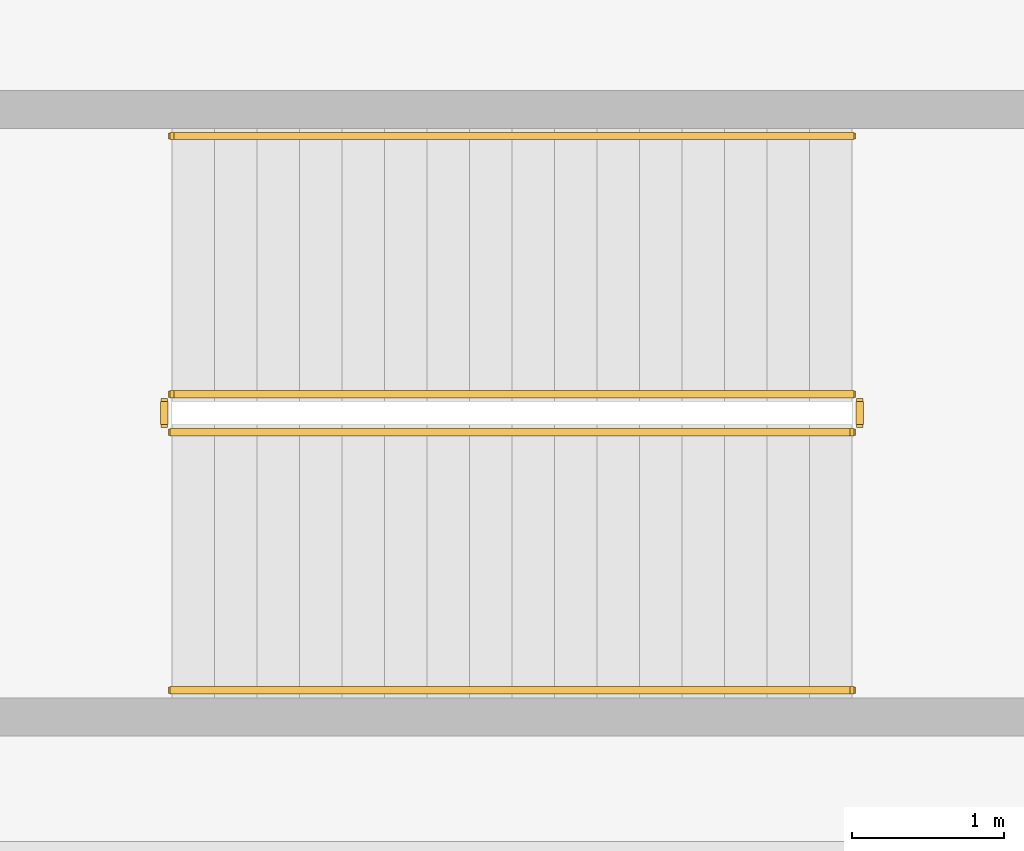
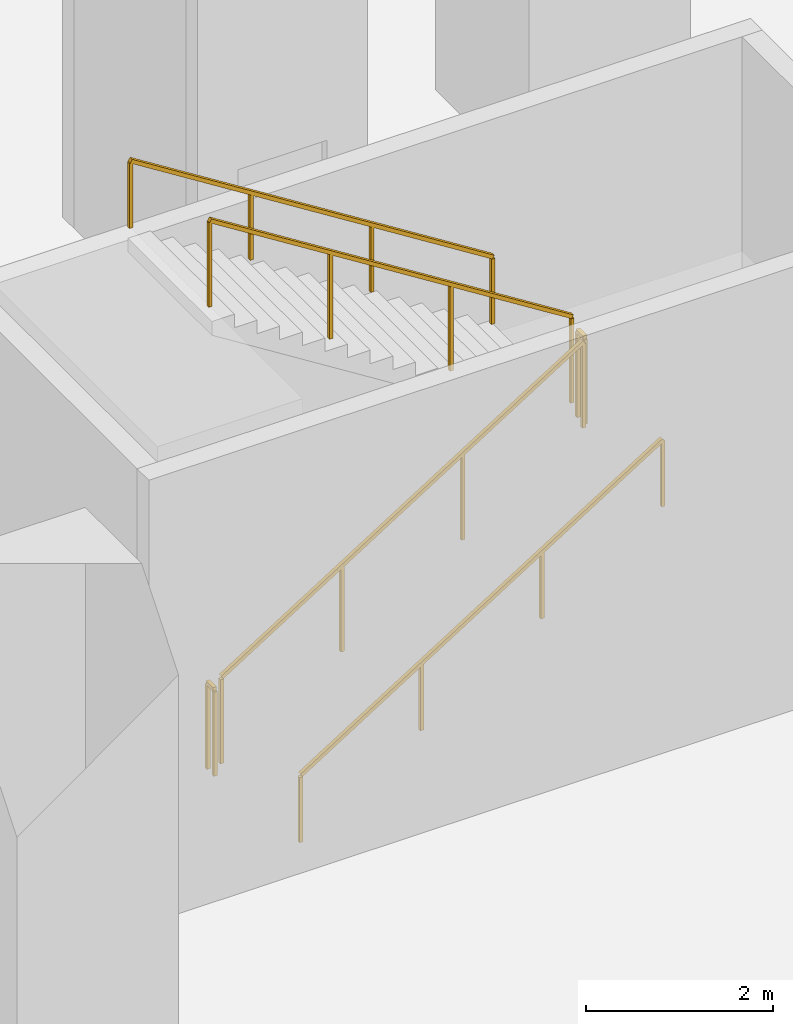
# One storey, part 8 of 16: 6 railings.
"""IFC4 building model written with IfcOpenShell, lengths in metres."""

from ifc_helpers import new_model, si_unit, direction, frame, origin, origin_2d, place, context, subcontext, project, spatial, rectangle, extrude, source, transform, mapped, material, type_object, element, save


model = new_model("IFC4")

# Units and contexts
model_context = context("Model", 3, precision=1e-05, world=origin(), true_north=direction((0.0, 1.0)))
body_context = subcontext(model_context, "Body", "Model", "MODEL_VIEW")
ifc_project = project(units=[si_unit("LENGTHUNIT", "METRE"), si_unit("AREAUNIT", "SQUARE_METRE"), si_unit("VOLUMEUNIT", "CUBIC_METRE"), si_unit("PLANEANGLEUNIT", "RADIAN"), si_unit("MASSUNIT", "GRAM", prefix="KILO")], contexts=[model_context])

# Site, building, storey
site_placement = place(None, origin())
site = spatial("IfcSite", under=ifc_project, at=site_placement, CompositionType="ELEMENT")
building_placement = place(site_placement, origin())
building = spatial("IfcBuilding", under=site, at=building_placement, Name="Vardaveli Station Tower", CompositionType="ELEMENT")
storey_placement = place(building_placement, frame((0.0, 0.0, -6.0)))
storey = spatial("IfcBuildingStorey", under=building, at=storey_placement, Name="B01", CompositionType="ELEMENT", Elevation=-6.0)

# Railings
ifc_material = material(Name="Brushed AISI 316 stainless steel", Category="steel")
railing_type_1 = type_object("IfcRailingType", Name="RL-GUARD-1150", PredefinedType="GUARDRAIL", material=ifc_material)
shared_shape_1 = source(origin(), body_context, "Body", "SweptSolid", [
    extrude(rectangle(XDim=0.048095703125, YDim=0.048095703125, at=origin_2d()), frame((0.0, 0.0, 1.1259765625), z_axis=(0.0, 1.0, 0.0), x_axis=(-1.0, 0.0, 0.0)), (0.0, 0.0, 1.0), 0.14990234375),
    extrude(rectangle(XDim=0.0419921875, YDim=0.0419921875, at=origin_2d()), origin(), (0.0, 0.0, 1.0), 1.101806640625),
    extrude(rectangle(XDim=0.0419921875, YDim=0.0419921875, at=origin_2d()), frame((0.0, 0.14990234375, 0.0)), (0.0, 0.0, 1.0), 1.101806640625),
])
for number, where, name in (
    (1, (11.530029296875, 20.0, 3.0), "B01 ST-S1 stair guard 2"),
    (2, (6.949951171875, 20.0, 0.0), "B01 ST-S1 stair guard 4"),
):
    element("IfcRailing", number, at=place(storey_placement, frame(where)), inside=storey, type_object=railing_type_1, Name=name, PredefinedType="GUARDRAIL", context=body_context, shape_type="MappedRepresentation", body=[
        mapped(shared_shape_1, transform((0.0, 0.0, 0.0), scale=1.0)),
    ])
shared_shape_2 = source(origin(), body_context, "Body", "SweptSolid", [
    extrude(rectangle(XDim=0.048095703125, YDim=0.048095703125, at=origin_2d()), frame((0.0, 0.0, 1.1259765625), z_axis=(0.845997938375, 0.0, 0.533186166611), x_axis=(0.0, 1.0, 0.0)), (0.0, 0.0, 1.0), 5.29541015625),
    extrude(rectangle(XDim=0.0419921875, YDim=0.0419921875, at=origin_2d()), origin(), (0.0, 0.0, 1.0), 1.101806640625),
    extrude(rectangle(XDim=0.0419921875, YDim=0.0419921875, at=origin_2d()), frame((1.493408203125, 0.0, 0.941162109375)), (0.0, 0.0, 1.0), 1.101806640625),
    extrude(rectangle(XDim=0.0419921875, YDim=0.0419921875, at=origin_2d()), frame((2.986572265625, 0.0, 1.88232421875)), (0.0, 0.0, 1.0), 1.101806640625),
    extrude(rectangle(XDim=0.0419921875, YDim=0.0419921875, at=origin_2d()), frame((4.47998046875, 0.0, 2.823486328125)), (0.0, 0.0, 1.0), 1.101806640625),
])
railing_1_placement = place(storey_placement, frame((7.0, 19.949951171875, 0.176513671875)))
element("IfcRailing", 3, at=railing_1_placement, inside=storey, type_object=railing_type_1, Name="B01 ST-S1 stair guard 1", PredefinedType="GUARDRAIL", context=body_context, shape_type="MappedRepresentation", body=[
    mapped(shared_shape_2, transform((0.0, 0.0, 0.0), scale=1.0)),
])
shared_shape_3 = source(origin(), body_context, "Body", "SweptSolid", [
    extrude(rectangle(XDim=0.048095703125, YDim=0.048095703125, at=origin_2d()), frame((0.0, 0.0, 1.1259765625), z_axis=(-0.845997938375, 0.0, 0.533186166611), x_axis=(0.0, -1.0, 0.0)), (0.0, 0.0, 1.0), 5.29541015625),
    extrude(rectangle(XDim=0.0419921875, YDim=0.0419921875, at=origin_2d()), origin(), (0.0, 0.0, 1.0), 1.101806640625),
    extrude(rectangle(XDim=0.0419921875, YDim=0.0419921875, at=origin_2d()), frame((-1.493408203125, 0.0, 0.941162109375)), (0.0, 0.0, 1.0), 1.101806640625),
    extrude(rectangle(XDim=0.0419921875, YDim=0.0419921875, at=origin_2d()), frame((-2.986572265625, 0.0, 1.88232421875)), (0.0, 0.0, 1.0), 1.101806640625),
    extrude(rectangle(XDim=0.0419921875, YDim=0.0419921875, at=origin_2d()), frame((-4.47998046875, 0.0, 2.823486328125)), (0.0, 0.0, 1.0), 1.101806640625),
])
railing_2_placement = place(storey_placement, frame((11.47998046875, 20.199951171875, 3.176513671875)))
element("IfcRailing", 4, at=railing_2_placement, inside=storey, type_object=railing_type_1, Name="B01 ST-S1 stair guard 3", PredefinedType="GUARDRAIL", context=body_context, shape_type="MappedRepresentation", body=[
    mapped(shared_shape_3, transform((0.0, 0.0, 0.0), scale=1.0)),
])
railing_type_2 = type_object("IfcRailingType", Name="RL-HAND-900", PredefinedType="HANDRAIL", material=ifc_material)
shared_shape_4 = source(origin(), body_context, "Body", "SweptSolid", [
    extrude(rectangle(XDim=0.048095703125, YDim=0.048095703125, at=origin_2d()), frame((0.0, 0.0, 0.8759765625), z_axis=(0.845997938375, 0.0, 0.533186166611), x_axis=(0.0, 1.0, 0.0)), (0.0, 0.0, 1.0), 5.29541015625),
    extrude(rectangle(XDim=0.0419921875, YDim=0.0419921875, at=origin_2d()), origin(), (0.0, 0.0, 1.0), 0.851806640625),
    extrude(rectangle(XDim=0.0419921875, YDim=0.0419921875, at=origin_2d()), frame((1.493408203125, 0.0, 0.941162109375)), (0.0, 0.0, 1.0), 0.851806640625),
    extrude(rectangle(XDim=0.0419921875, YDim=0.0419921875, at=origin_2d()), frame((2.986572265625, 0.0, 1.88232421875)), (0.0, 0.0, 1.0), 0.851806640625),
    extrude(rectangle(XDim=0.0419921875, YDim=0.0419921875, at=origin_2d()), frame((4.47998046875, 0.0, 2.823486328125)), (0.0, 0.0, 1.0), 0.851806640625),
])
railing_3_placement = place(storey_placement, frame((7.0, 18.25, 0.176513671875)))
element("IfcRailing", 5, at=railing_3_placement, inside=storey, type_object=railing_type_2, Name="B01 ST-S1 stair handrail 1", PredefinedType="HANDRAIL", context=body_context, shape_type="MappedRepresentation", body=[
    mapped(shared_shape_4, transform((0.0, 0.0, 0.0), scale=1.0)),
])
shared_shape_5 = source(origin(), body_context, "Body", "SweptSolid", [
    extrude(rectangle(XDim=0.048095703125, YDim=0.048095703125, at=origin_2d()), frame((0.0, 0.0, 0.8759765625), z_axis=(-0.845997938375, 0.0, 0.533186166611), x_axis=(0.0, -1.0, 0.0)), (0.0, 0.0, 1.0), 5.29541015625),
    extrude(rectangle(XDim=0.0419921875, YDim=0.0419921875, at=origin_2d()), origin(), (0.0, 0.0, 1.0), 0.851806640625),
    extrude(rectangle(XDim=0.0419921875, YDim=0.0419921875, at=origin_2d()), frame((-1.493408203125, 0.0, 0.941162109375)), (0.0, 0.0, 1.0), 0.851806640625),
    extrude(rectangle(XDim=0.0419921875, YDim=0.0419921875, at=origin_2d()), frame((-2.986572265625, 0.0, 1.88232421875)), (0.0, 0.0, 1.0), 0.851806640625),
    extrude(rectangle(XDim=0.0419921875, YDim=0.0419921875, at=origin_2d()), frame((-4.47998046875, 0.0, 2.823486328125)), (0.0, 0.0, 1.0), 0.851806640625),
])
railing_4_placement = place(storey_placement, frame((11.47998046875, 21.89990234375, 3.176513671875)))
element("IfcRailing", 6, at=railing_4_placement, inside=storey, type_object=railing_type_2, Name="B01 ST-S1 stair handrail 2", PredefinedType="HANDRAIL", context=body_context, shape_type="MappedRepresentation", body=[
    mapped(shared_shape_5, transform((0.0, 0.0, 0.0), scale=1.0)),
])

save(model, "model.ifc")
